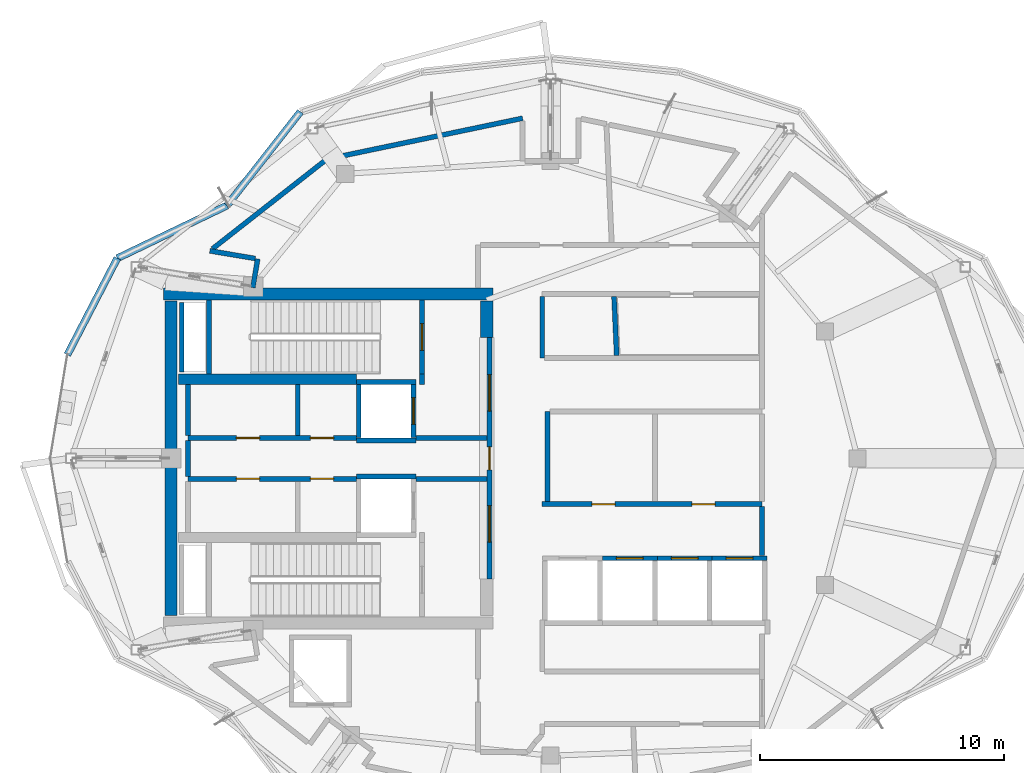
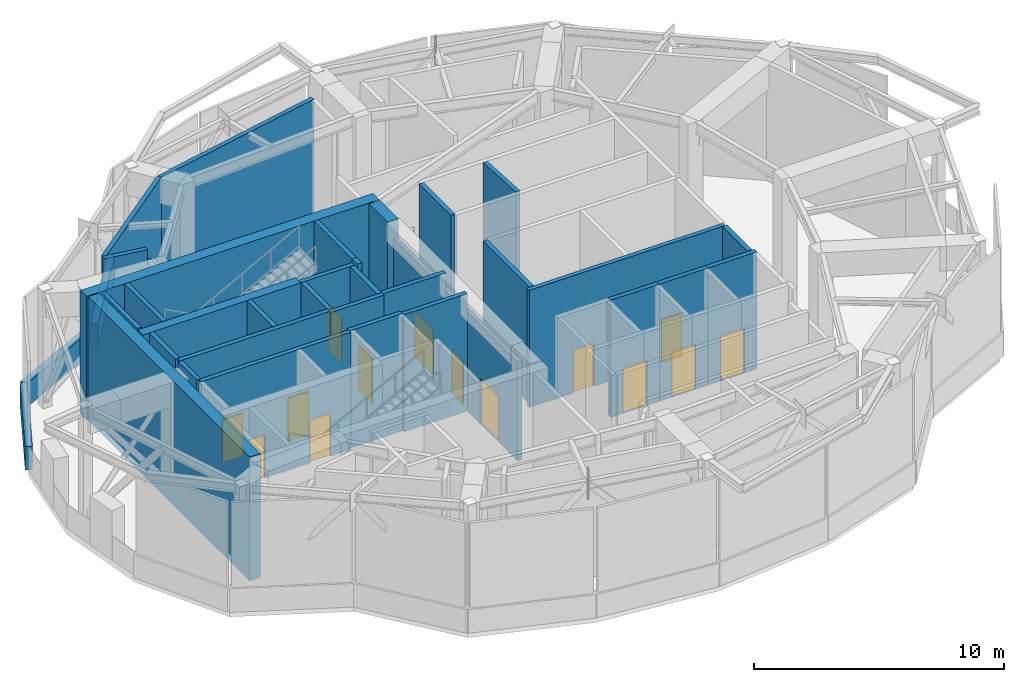
# One storey, part 7 of 9: 36 walls, 14 doors, 14 openings.
"""IFC4 building model written with IfcOpenShell, lengths in metres."""

import ifcopenshell
import ifcopenshell.guid

model = None  # the IFC model being written
_history = None  # IfcOwnerHistory: only IFC2X3 demands one
_inside = {}  # id of a spatial element -> (the spatial element, [elements in it])
_under = {}  # id of a project, library or spatial element -> (it, [spatial elements below it])
_declared = {}  # id of a project -> (the project, [libraries it declares])
_typed = {}  # id of a type object -> (the type object, [elements of that type])
_made_of = {}  # id of a material, layer set ... -> (it, [elements and type objects made of it])


def new_model(schema):
    """Start an empty IFC model of exactly this schema.

    Asked for "IFC4X3", IfcOpenShell would pick the latest addendum, in which some entities
    have other attributes; the version numbers below select the first issue.
    IFC2X3 requires an IfcOwnerHistory on every rooted entity: one is made here for all.
    """
    global model, _history
    if schema == "IFC4X3":
        model = ifcopenshell.file(schema_version=(4, 3, 0, 0))
    else:
        model = ifcopenshell.file(schema=schema)
    _inside.clear()
    _under.clear()
    _declared.clear()
    _typed.clear()
    _made_of.clear()
    _history = None
    if model.schema == "IFC2X3":
        org = make("IfcOrganization", Name="unknown")
        user = make(
            "IfcPersonAndOrganization",
            ThePerson=make("IfcPerson", FamilyName="unknown"),
            TheOrganization=org,
        )
        app = make(
            "IfcApplication",
            ApplicationDeveloper=org,
            Version="unknown",
            ApplicationFullName="unknown",
            ApplicationIdentifier="unknown",
        )
        _history = make(
            "IfcOwnerHistory",
            OwningUser=user,
            OwningApplication=app,
            ChangeAction="ADDED",
            CreationDate=0,
        )
    return model


def make(cls, **values):
    """One entity of the class cls with the attributes given. An attribute that is None is left unset."""
    return model.create_entity(
        cls, **{name: value for name, value in values.items() if value is not None}
    )


def rooted(cls, **values):
    """An entity with a GlobalId (a new one), such as an element, a storey or a relation."""
    return make(cls, GlobalId=ifcopenshell.guid.new(), OwnerHistory=_history, **values)


def si_unit(unit_type, name, prefix=None):
    """IfcSIUnit, for example si_unit("LENGTHUNIT", "METRE", prefix="MILLI")."""
    return make("IfcSIUnit", UnitType=unit_type, Prefix=prefix, Name=name)


def assignment(units):
    """IfcUnitAssignment: the units of a project."""
    return None if units is None else make("IfcUnitAssignment", Units=units)


def point(xyz):
    """IfcCartesianPoint."""
    return None if xyz is None else make("IfcCartesianPoint", Coordinates=xyz)


def direction(xyz):
    """IfcDirection."""
    return None if xyz is None else make("IfcDirection", DirectionRatios=xyz)


def frame(location, z_axis=None, x_axis=None):
    """IfcAxis2Placement3D, a coordinate frame: its origin and axes. An axis left out is left unset."""
    return make(
        "IfcAxis2Placement3D",
        Location=point(location),
        Axis=direction(z_axis),
        RefDirection=direction(x_axis),
    )


def frame_2d(location, x_axis=None):
    """IfcAxis2Placement2D, a coordinate frame in the plane: its origin and x axis."""
    return make(
        "IfcAxis2Placement2D", Location=point(location), RefDirection=direction(x_axis)
    )


def origin():
    """The frame at (0, 0, 0) with its axes left unset."""
    return frame((0.0, 0.0, 0.0))


def place(relative_to, where):
    """IfcLocalPlacement: puts the frame where relative to a parent placement (None: the world)."""
    return make(
        "IfcLocalPlacement", PlacementRelTo=relative_to, RelativePlacement=where
    )


def context(
    kind, dimensions, precision=None, world=None, true_north=None, identifier=None
):
    """IfcGeometricRepresentationContext, for example the 3D "Model" context."""
    return make(
        "IfcGeometricRepresentationContext",
        ContextIdentifier=identifier,
        ContextType=kind,
        CoordinateSpaceDimension=dimensions,
        Precision=precision,
        WorldCoordinateSystem=world,
        TrueNorth=true_north,
    )


def subcontext(parent, identifier, kind, view, scale=None):
    """IfcGeometricRepresentationSubContext, for example "Body" below "Model"."""
    return make(
        "IfcGeometricRepresentationSubContext",
        ContextIdentifier=identifier,
        ContextType=kind,
        ParentContext=parent,
        TargetScale=scale,
        TargetView=view,
    )


def project(units=None, contexts=None):
    """IfcProject with its units and contexts."""
    return rooted(
        "IfcProject",
        Name="project",
        RepresentationContexts=contexts,
        UnitsInContext=assignment(units),
    )


def spatial(cls, under=None, at=None, **own):
    """A site, building, storey or space (cls), placed at a placement, below another one or the project."""
    s = rooted(cls, ObjectPlacement=at, **own)
    if under is not None:
        _under.setdefault(under.id(), (under, []))[1].append(s)
    return s


def profile(cls, at=None, kind="AREA", **sizes):
    """A parametric profile (cls). Its sizes go by their IFC names, for example OverallWidth=200.0."""
    return make(cls, ProfileType=kind, Position=at, **sizes)


def rectangle(**sizes):
    """IfcRectangleProfileDef."""
    return profile("IfcRectangleProfileDef", **sizes)


def extrude(swept, where, along, depth):
    """IfcExtrudedAreaSolid: the profile swept, set in the frame where, extruded along a direction by depth."""
    return make(
        "IfcExtrudedAreaSolid",
        SweptArea=swept,
        Position=where,
        ExtrudedDirection=direction(along),
        Depth=depth,
    )


def shape(context_of_items, identifier, shape_type, items):
    """IfcShapeRepresentation: the items that make up one representation, for example the "Body"."""
    return make(
        "IfcShapeRepresentation",
        ContextOfItems=context_of_items,
        RepresentationIdentifier=identifier,
        RepresentationType=shape_type,
        Items=items,
    )


def material(Name=None, Category=None):
    """IfcMaterial."""
    return make("IfcMaterial", Name=Name, Category=Category)


def layer(
    of_material, thickness, ventilated=None, Name=None, Category=None, Priority=None
):
    """IfcMaterialLayer: one layer of a wall or slab, of a material (None: an air gap)."""
    return make(
        "IfcMaterialLayer",
        Material=of_material,
        LayerThickness=thickness,
        IsVentilated=ventilated,
        Name=Name,
        Category=Category,
        Priority=Priority,
    )


def layer_set(layers, Name=None):
    """IfcMaterialLayerSet."""
    return make("IfcMaterialLayerSet", MaterialLayers=layers, LayerSetName=Name)


def made_of(thing, what):
    """Note that an element or type object is made of a material, layer set ...; save() writes the relation."""
    if what is not None:
        _made_of.setdefault(what.id(), (what, []))[1].append(thing)
    return thing


def type_object(cls, material=None, **own):
    """A type object (cls), such as IfcWallType, which elements share."""
    return made_of(rooted(cls, **own), material)


def element(
    cls,
    number,
    at=None,
    inside=None,
    cuts=None,
    type_object=None,
    material=None,
    context=None,
    identifier="Body",
    shape_type=None,
    held_by="IfcProductDefinitionShape",
    body=None,
    shapes=None,
    **own,
):
    """One element of the class cls, such as IfcWall. Its Tag is "e" and its number.

    at: its placement. inside: the storey or other place that contains it. cuts: it is an
    opening in that element (IfcRelVoidsElement). A single representation is given by context,
    identifier, shape_type and body (its items); several are given by shapes. held_by: the class
    of the entity that holds the representations. save() writes the other relations.
    """
    e = rooted(cls, Tag="e%d" % number, ObjectPlacement=at, **own)
    if body is not None:
        shapes = [shape(context, identifier, shape_type, body)]
    if shapes is not None:
        e.Representation = make(held_by, Representations=shapes)
    if inside is not None:
        _inside.setdefault(inside.id(), (inside, []))[1].append(e)
    if cuts is not None:
        rooted(
            "IfcRelVoidsElement", RelatingBuildingElement=cuts, RelatedOpeningElement=e
        )
    if type_object is not None:
        _typed.setdefault(type_object.id(), (type_object, []))[1].append(e)
    return made_of(e, material)


def fill(opening, filler):
    """IfcRelFillsElement: the door or window that sits in an opening."""
    return rooted(
        "IfcRelFillsElement",
        RelatingOpeningElement=opening,
        RelatedBuildingElement=filler,
    )


def aggregate(whole, parts):
    """IfcRelAggregates: a whole, such as a stair, and the parts it consists of."""
    return rooted("IfcRelAggregates", RelatingObject=whole, RelatedObjects=parts)


def save(model, path):
    """Write the relations noted so far, then the file.

    IfcRelAggregates (storeys below a building ...), IfcRelContainedInSpatialStructure (elements
    in a storey), IfcRelDefinesByType, IfcRelAssociatesMaterial and IfcRelDeclares: one each for
    every whole, place, type object, material and project.
    """
    for whole, parts in _under.values():
        aggregate(whole, parts)
    for where, things in _inside.values():
        rooted(
            "IfcRelContainedInSpatialStructure",
            RelatedElements=things,
            RelatingStructure=where,
        )
    for kind, things in _typed.values():
        rooted("IfcRelDefinesByType", RelatedObjects=things, RelatingType=kind)
    for what, things in _made_of.values():
        rooted("IfcRelAssociatesMaterial", RelatedObjects=things, RelatingMaterial=what)
    for by, libraries in _declared.values():
        rooted("IfcRelDeclares", RelatingContext=by, RelatedDefinitions=libraries)
    model.write(path)


model = new_model("IFC4")

# Units and contexts
model_context = context("Model", 3, precision=1e-05, world=origin(), true_north=direction((0.0, 1.0)))
body_context = subcontext(model_context, "Body", "Model", "MODEL_VIEW")
ifc_project = project(units=[si_unit("LENGTHUNIT", "METRE"), si_unit("AREAUNIT", "SQUARE_METRE"), si_unit("VOLUMEUNIT", "CUBIC_METRE"), si_unit("PLANEANGLEUNIT", "RADIAN"), si_unit("MASSUNIT", "GRAM", prefix="KILO")], contexts=[model_context])

# Site, building, storey
site_placement = place(None, origin())
site = spatial("IfcSite", under=ifc_project, at=site_placement, CompositionType="ELEMENT")
building_placement = place(site_placement, origin())
building = spatial("IfcBuilding", under=site, at=building_placement, Name="Kolvaren Gate Tower and Convention Centre", CompositionType="ELEMENT")
storey_placement = place(building_placement, frame((0.0, 0.0, 275.60009765625)))
storey = spatial("IfcBuildingStorey", under=building, at=storey_placement, Name="L75", CompositionType="ELEMENT", Elevation=275.60009765625)

# Walls
ifc_material_1 = material(Name="Autoclaved Aerated Masonry Blockwork Class 4 (4.0 MPa)", Category="masonry")
ifc_layer_1 = layer(ifc_material_1, 0.199951171875)
ifc_layer_set_1 = layer_set([ifc_layer_1], Name="Autoclaved Aerated Masonry Blockwork Class 4 (4.0 MPa)")
wall_type_1 = type_object("IfcWallType", Name="ARCH-WL-SHAFT-200", PredefinedType="SOLIDWALL", material=ifc_layer_set_1)
for number, where, z_axis, x_axis, name in (
    (1, (22.14990234375, 30.139892578125, 0.0), (0.0, 0.0, 1.0), (1.0, 0.0, 0.0), "Elevator FF-01 L75 Fire Shaft Wall N"),
    (2, (22.14990234375, 27.739990234375, 0.0), (0.0, 0.0, 1.0), (1.0, 0.0, 0.0), "Elevator FF-01 L75 Fire Shaft Wall S"),
):
    element("IfcWall", number, at=place(storey_placement, frame(where, z_axis=z_axis, x_axis=x_axis)), inside=storey, type_object=wall_type_1, Name=name, PredefinedType="SOLIDWALL", context=body_context, shape_type="SweptSolid", body=[
        extrude(rectangle(XDim=2.4501953125, YDim=0.199951171875, at=frame_2d((1.22509765625, 0.0))), origin(), (0.0, 0.0, 1.0), 5.719970703125),
    ])
wall_1_placement = place(storey_placement, frame((22.25, 27.85009765625, 0.0), z_axis=(0.0, 0.0, 1.0), x_axis=(0.0, 1.0, 0.0)))
element("IfcWall", 3, at=wall_1_placement, inside=storey, type_object=wall_type_1, Name="Elevator FF-01 L75 Fire Shaft Wall W", PredefinedType="SOLIDWALL", context=body_context, shape_type="SweptSolid", body=[
    extrude(rectangle(XDim=2.179931640625, YDim=0.199951171875, at=frame_2d((1.08984375, 0.0))), origin(), (0.0, 0.0, 1.0), 5.719970703125),
])

# Wall, opening, door
wall_2_placement = place(storey_placement, frame((24.5, 27.85009765625, 0.0), z_axis=(0.0, 0.0, 1.0), x_axis=(0.0, 1.0, 0.0)))
wall_2 = element("IfcWall", 4, at=wall_2_placement, inside=storey, type_object=wall_type_1, Name="Elevator FF-01 L75 Fire Shaft Wall E", PredefinedType="SOLIDWALL", context=body_context, shape_type="SweptSolid", body=[
    extrude(rectangle(XDim=2.179931640625, YDim=0.199951171875, at=frame_2d((1.08984375, 0.0))), origin(), (0.0, 0.0, 1.0), 5.719970703125),
])
opening_1_placement = place(wall_2_placement, frame((0.5400390625, 0.0, 0.0)))
opening_1 = element("IfcOpeningElement", 5, at=opening_1_placement, cuts=wall_2, Name="Opening LD", PredefinedType="OPENING", context=body_context, shape_type="SweptSolid", body=[
    extrude(rectangle(XDim=1.10009765625, YDim=2.199951171875, at=frame_2d((0.550048828125, 1.10009765625))), frame((0.0, 0.10986328125, 0.0), z_axis=(0.0, -1.0, 0.0), x_axis=(1.0, 0.0, 0.0)), (0.0, 0.0, 1.0), 0.219970703125),
])
ifc_material_2 = material(Name="Brushed Stainless Steel Grade 316L", Category="steel")
door_type_1 = type_object("IfcDoorType", Name="ARCH-DR-LIFT-1100", OperationType="SLIDING_TO_LEFT", PredefinedType="DOOR", material=ifc_material_2)
door_1_placement = place(opening_1_placement, origin())
door_1 = element("IfcDoor", 6, at=door_1_placement, inside=storey, type_object=door_type_1, Name="Elevator FF-01 L75 Sliding Landing Door", OperationType="SLIDING_TO_LEFT", OverallHeight=2.199951171875, OverallWidth=1.10009765625, PredefinedType="DOOR", context=body_context, shape_type="SweptSolid", body=[
    extrude(rectangle(XDim=1.10009765625, YDim=2.199951171875, at=frame_2d((0.550048828125, 1.10009765625))), frame((0.0, 0.02490234375, 0.0), z_axis=(0.0, -1.0, 0.0), x_axis=(1.0, 0.0, 0.0)), (0.0, 0.0, 1.0), 0.050048828125),
])
fill(opening_1, door_1)

# Wall
wall_3_placement = place(storey_placement, frame((22.14990234375, 26.260009765625, 0.0), z_axis=(0.0, 0.0, 1.0), x_axis=(1.0, 0.0, 0.0)))
element("IfcWall", 7, at=wall_3_placement, inside=storey, type_object=wall_type_1, Name="Elevator FF-02 L75 Fire Shaft Wall N", PredefinedType="SOLIDWALL", context=body_context, shape_type="SweptSolid", body=[
    extrude(rectangle(XDim=2.4501953125, YDim=0.199951171875, at=frame_2d((1.22509765625, 0.0))), origin(), (0.0, 0.0, 1.0), 5.719970703125),
])

# Wall, opening, door
wall_4_placement = place(storey_placement, frame((32.25, 22.89990234375, 0.0), z_axis=(0.0, 0.0, 1.0), x_axis=(1.0, 0.0, 0.0)))
wall_4 = element("IfcWall", 8, at=wall_4_placement, inside=storey, type_object=wall_type_1, Name="Elevator PL-10 L75 Fire Shaft Wall N", PredefinedType="SOLIDWALL", context=body_context, shape_type="SweptSolid", body=[
    extrude(rectangle(XDim=2.25, YDim=0.199951171875, at=frame_2d((1.125, 0.0))), origin(), (0.0, 0.0, 1.0), 5.719970703125),
])
opening_2_placement = place(wall_4_placement, frame((0.574951171875, 0.0, 0.0)))
opening_2 = element("IfcOpeningElement", 9, at=opening_2_placement, cuts=wall_4, Name="Opening LD", PredefinedType="OPENING", context=body_context, shape_type="SweptSolid", body=[
    extrude(rectangle(XDim=1.10009765625, YDim=2.199951171875, at=frame_2d((0.550048828125, 1.10009765625))), frame((0.0, 0.10986328125, 0.0), z_axis=(0.0, -1.0, 0.0), x_axis=(1.0, 0.0, 0.0)), (0.0, 0.0, 1.0), 0.219970703125),
])
door_2_placement = place(opening_2_placement, origin())
door_2 = element("IfcDoor", 10, at=door_2_placement, inside=storey, type_object=door_type_1, Name="Elevator PL-10 L75 Sliding Landing Door", OperationType="SLIDING_TO_LEFT", OverallHeight=2.199951171875, OverallWidth=1.10009765625, PredefinedType="DOOR", context=body_context, shape_type="SweptSolid", body=[
    extrude(rectangle(XDim=1.10009765625, YDim=2.199951171875, at=frame_2d((0.550048828125, 1.10009765625))), frame((0.0, 0.02490234375, 0.0), z_axis=(0.0, -1.0, 0.0), x_axis=(1.0, 0.0, 0.0)), (0.0, 0.0, 1.0), 0.050048828125),
])
fill(opening_2, door_2)

wall_5_placement = place(storey_placement, frame((34.5, 22.89990234375, 0.0), z_axis=(0.0, 0.0, 1.0), x_axis=(1.0, 0.0, 0.0)))
wall_5 = element("IfcWall", 11, at=wall_5_placement, inside=storey, type_object=wall_type_1, Name="Elevator PL-11 L75 Fire Shaft Wall N", PredefinedType="SOLIDWALL", context=body_context, shape_type="SweptSolid", body=[
    extrude(rectangle(XDim=2.25, YDim=0.199951171875, at=frame_2d((1.125, 0.0))), origin(), (0.0, 0.0, 1.0), 5.719970703125),
])
opening_3_placement = place(wall_5_placement, frame((0.574951171875, 0.0, 0.0)))
opening_3 = element("IfcOpeningElement", 12, at=opening_3_placement, cuts=wall_5, Name="Opening LD", PredefinedType="OPENING", context=body_context, shape_type="SweptSolid", body=[
    extrude(rectangle(XDim=1.10009765625, YDim=2.199951171875, at=frame_2d((0.550048828125, 1.10009765625))), frame((0.0, 0.10986328125, 0.0), z_axis=(0.0, -1.0, 0.0), x_axis=(1.0, 0.0, 0.0)), (0.0, 0.0, 1.0), 0.219970703125),
])
door_3_placement = place(opening_3_placement, origin())
door_3 = element("IfcDoor", 13, at=door_3_placement, inside=storey, type_object=door_type_1, Name="Elevator PL-11 L75 Sliding Landing Door", OperationType="SLIDING_TO_LEFT", OverallHeight=2.199951171875, OverallWidth=1.10009765625, PredefinedType="DOOR", context=body_context, shape_type="SweptSolid", body=[
    extrude(rectangle(XDim=1.10009765625, YDim=2.199951171875, at=frame_2d((0.550048828125, 1.10009765625))), frame((0.0, 0.02490234375, 0.0), z_axis=(0.0, -1.0, 0.0), x_axis=(1.0, 0.0, 0.0)), (0.0, 0.0, 1.0), 0.050048828125),
])
fill(opening_3, door_3)

wall_6_placement = place(storey_placement, frame((36.75, 22.89990234375, 0.0), z_axis=(0.0, 0.0, 1.0), x_axis=(1.0, 0.0, 0.0)))
wall_6 = element("IfcWall", 14, at=wall_6_placement, inside=storey, type_object=wall_type_1, Name="Elevator PL-12 L75 Fire Shaft Wall N", PredefinedType="SOLIDWALL", context=body_context, shape_type="SweptSolid", body=[
    extrude(rectangle(XDim=2.25, YDim=0.199951171875, at=frame_2d((1.125, 0.0))), origin(), (0.0, 0.0, 1.0), 5.719970703125),
])
opening_4_placement = place(wall_6_placement, frame((0.574951171875, 0.0, 0.0)))
opening_4 = element("IfcOpeningElement", 15, at=opening_4_placement, cuts=wall_6, Name="Opening LD", PredefinedType="OPENING", context=body_context, shape_type="SweptSolid", body=[
    extrude(rectangle(XDim=1.10009765625, YDim=2.199951171875, at=frame_2d((0.550048828125, 1.10009765625))), frame((0.0, 0.10986328125, 0.0), z_axis=(0.0, -1.0, 0.0), x_axis=(1.0, 0.0, 0.0)), (0.0, 0.0, 1.0), 0.219970703125),
])
door_4_placement = place(opening_4_placement, origin())
door_4 = element("IfcDoor", 16, at=door_4_placement, inside=storey, type_object=door_type_1, Name="Elevator PL-12 L75 Sliding Landing Door", OperationType="SLIDING_TO_LEFT", OverallHeight=2.199951171875, OverallWidth=1.10009765625, PredefinedType="DOOR", context=body_context, shape_type="SweptSolid", body=[
    extrude(rectangle(XDim=1.10009765625, YDim=2.199951171875, at=frame_2d((0.550048828125, 1.10009765625))), frame((0.0, 0.02490234375, 0.0), z_axis=(0.0, -1.0, 0.0), x_axis=(1.0, 0.0, 0.0)), (0.0, 0.0, 1.0), 0.050048828125),
])
fill(opening_4, door_4)

# Walls
wall_7_placement = place(storey_placement, frame((14.989990234375, 30.550048828125, 0.0), z_axis=(0.0, 0.0, 1.0), x_axis=(0.0, 1.0, 0.0)))
element("IfcWall", 17, at=wall_7_placement, inside=storey, type_object=wall_type_1, Name="Vertical Shaft HVR L75 EI-120 Enclosure Wall W", PredefinedType="SOLIDWALL", context=body_context, shape_type="SweptSolid", body=[
    extrude(rectangle(XDim=2.849853515625, YDim=0.199951171875, at=frame_2d((1.4248046875, 0.0))), origin(), (0.0, 0.0, 1.0), 5.719970703125),
])
wall_8_placement = place(storey_placement, frame((24.85009765625, 30.0400390625, 0.0), z_axis=(0.0, 0.0, 1.0), x_axis=(0.0, 1.0, 0.0)))
element("IfcWall", 18, at=wall_8_placement, inside=storey, type_object=wall_type_1, Name="Interior Partition WL-L75-INT-002", PredefinedType="SOLIDWALL", context=body_context, shape_type="SweptSolid", body=[
    extrude(rectangle(XDim=0.419921875, YDim=0.199951171875, at=frame_2d((0.2099609375, 0.0))), origin(), (0.0, 0.0, 1.0), 5.719970703125),
])

# Wall, openings, doors
wall_9_placement = place(storey_placement, frame((27.6201171875, 22.050048828125, 0.0), z_axis=(0.0, 0.0, 1.0), x_axis=(0.0, 1.0, 0.0)))
wall_9 = element("IfcWall", 19, at=wall_9_placement, inside=storey, type_object=wall_type_1, Name="Interior Partition WL-L75-INT-003", PredefinedType="SOLIDWALL", context=body_context, shape_type="SweptSolid", body=[
    extrude(rectangle(XDim=9.89990234375, YDim=0.199951171875, at=frame_2d((4.949951171875, 0.0))), origin(), (0.0, 0.0, 1.0), 4.81201171875),
])
opening_5_placement = place(wall_9_placement, frame((4.47509765625, 0.0, 0.0)))
opening_5 = element("IfcOpeningElement", 20, at=opening_5_placement, cuts=wall_9, Name="Opening DR-01", PredefinedType="OPENING", context=body_context, shape_type="SweptSolid", body=[
    extrude(rectangle(XDim=0.949951171875, YDim=2.10009765625, at=frame_2d((0.47509765625, 1.050048828125))), frame((0.0, 0.10986328125, 0.0), z_axis=(0.0, -1.0, 0.0), x_axis=(1.0, 0.0, 0.0)), (0.0, 0.0, 1.0), 0.219970703125),
])
opening_6_placement = place(wall_9_placement, frame((6.889892578125, 0.0, 0.0)))
opening_6 = element("IfcOpeningElement", 21, at=opening_6_placement, cuts=wall_9, Name="Opening DL-01", PredefinedType="OPENING", context=body_context, shape_type="SweptSolid", body=[
    extrude(rectangle(XDim=1.5, YDim=2.199951171875, at=frame_2d((0.75, 1.10009765625))), frame((0.0, 0.10986328125, 0.0), z_axis=(0.0, -1.0, 0.0), x_axis=(1.0, 0.0, 0.0)), (0.0, 0.0, 1.0), 0.219970703125),
])
opening_7_placement = place(wall_9_placement, frame((1.510009765625, 0.0, 0.0)))
opening_7 = element("IfcOpeningElement", 22, at=opening_7_placement, cuts=wall_9, Name="Opening DL-01", PredefinedType="OPENING", context=body_context, shape_type="SweptSolid", body=[
    extrude(rectangle(XDim=1.5, YDim=2.199951171875, at=frame_2d((0.75, 1.10009765625))), frame((0.0, 0.10986328125, 0.0), z_axis=(0.0, -1.0, 0.0), x_axis=(1.0, 0.0, 0.0)), (0.0, 0.0, 1.0), 0.219970703125),
])
ifc_material_3 = material(Name="Painted Architectural Steelwork ASTM A500 Grade C 345 MPa", Category="steel")
door_type_2 = type_object("IfcDoorType", Name="ARCH-DR-LOBBY-1500", OperationType="DOUBLE_DOOR_SINGLE_SWING", PredefinedType="DOOR", material=ifc_material_3)
door_5_placement = place(opening_6_placement, origin())
door_5 = element("IfcDoor", 23, at=door_5_placement, inside=storey, type_object=door_type_2, Name="North Firefighting Stair and Lift Lobby Door", OperationType="DOUBLE_DOOR_SINGLE_SWING", OverallHeight=2.199951171875, OverallWidth=1.5, PredefinedType="DOOR", context=body_context, shape_type="SweptSolid", body=[
    extrude(rectangle(XDim=1.5, YDim=2.199951171875, at=frame_2d((0.75, 1.10009765625))), frame((0.0, 0.02490234375, 0.0), z_axis=(0.0, -1.0, 0.0), x_axis=(1.0, 0.0, 0.0)), (0.0, 0.0, 1.0), 0.050048828125),
])
fill(opening_6, door_5)
door_6_placement = place(opening_7_placement, origin())
door_6 = element("IfcDoor", 24, at=door_6_placement, inside=storey, type_object=door_type_2, Name="South Firefighting Stair and Lift Lobby Door", OperationType="DOUBLE_DOOR_SINGLE_SWING", OverallHeight=2.199951171875, OverallWidth=1.5, PredefinedType="DOOR", context=body_context, shape_type="SweptSolid", body=[
    extrude(rectangle(XDim=1.5, YDim=2.199951171875, at=frame_2d((0.75, 1.10009765625))), frame((0.0, 0.02490234375, 0.0), z_axis=(0.0, -1.0, 0.0), x_axis=(1.0, 0.0, 0.0)), (0.0, 0.0, 1.0), 0.050048828125),
])
fill(opening_7, door_6)
door_type_3 = type_object("IfcDoorType", Name="ARCH-DR-RISER-950", OperationType="SINGLE_SWING_RIGHT", PredefinedType="DOOR", material=ifc_material_3)
door_7_placement = place(opening_5_placement, origin())
door_7 = element("IfcDoor", 25, at=door_7_placement, inside=storey, type_object=door_type_3, Name="Central MEP Service Corridor Door", OperationType="SINGLE_SWING_RIGHT", OverallHeight=2.10009765625, OverallWidth=0.949951171875, PredefinedType="DOOR", context=body_context, shape_type="SweptSolid", body=[
    extrude(rectangle(XDim=0.949951171875, YDim=2.10009765625, at=frame_2d((0.47509765625, 1.050048828125))), frame((0.0, 0.02490234375, 0.0), z_axis=(0.0, -1.0, 0.0), x_axis=(1.0, 0.0, 0.0)), (0.0, 0.0, 1.0), 0.050048828125),
])
fill(opening_5, door_7)

wall_10_placement = place(storey_placement, frame((15.25, 27.840087890625, 0.0), z_axis=(0.0, 0.0, 1.0), x_axis=(1.0, 0.0, 0.0)))
wall_10 = element("IfcWall", 26, at=wall_10_placement, inside=storey, type_object=wall_type_1, Name="Interior Partition WL-L75-INT-004", PredefinedType="SOLIDWALL", context=body_context, shape_type="SweptSolid", body=[
    extrude(rectangle(XDim=6.89990234375, YDim=0.199951171875, at=frame_2d((3.449951171875, 0.0))), origin(), (0.0, 0.0, 1.0), 5.719970703125),
])
opening_8_placement = place(wall_10_placement, frame((5.02001953125, 0.0, 0.0)))
opening_8 = element("IfcOpeningElement", 27, at=opening_8_placement, cuts=wall_10, Name="Opening DR-01", PredefinedType="OPENING", context=body_context, shape_type="SweptSolid", body=[
    extrude(rectangle(XDim=0.949951171875, YDim=2.10009765625, at=frame_2d((0.47509765625, 1.050048828125))), frame((0.0, 0.10986328125, 0.0), z_axis=(0.0, -1.0, 0.0), x_axis=(1.0, 0.0, 0.0)), (0.0, 0.0, 1.0), 0.219970703125),
])
opening_9_placement = place(wall_10_placement, frame((1.97998046875, 0.0, 0.0)))
opening_9 = element("IfcOpeningElement", 28, at=opening_9_placement, cuts=wall_10, Name="Opening DR-01", PredefinedType="OPENING", context=body_context, shape_type="SweptSolid", body=[
    extrude(rectangle(XDim=0.949951171875, YDim=2.10009765625, at=frame_2d((0.47509765625, 1.050048828125))), frame((0.0, 0.10986328125, 0.0), z_axis=(0.0, -1.0, 0.0), x_axis=(1.0, 0.0, 0.0)), (0.0, 0.0, 1.0), 0.219970703125),
])
door_8_placement = place(opening_8_placement, origin())
door_8 = element("IfcDoor", 29, at=door_8_placement, inside=storey, type_object=door_type_3, Name="Electrical Switchgear Closet Door", OperationType="SINGLE_SWING_LEFT", OverallHeight=2.10009765625, OverallWidth=0.949951171875, PredefinedType="DOOR", context=body_context, shape_type="SweptSolid", body=[
    extrude(rectangle(XDim=0.949951171875, YDim=2.10009765625, at=frame_2d((0.47509765625, 1.050048828125))), frame((0.0, 0.02490234375, 0.0), z_axis=(0.0, -1.0, 0.0), x_axis=(1.0, 0.0, 0.0)), (0.0, 0.0, 1.0), 0.050048828125),
])
fill(opening_8, door_8)
door_9_placement = place(opening_9_placement, origin())
door_9 = element("IfcDoor", 30, at=door_9_placement, inside=storey, type_object=door_type_3, Name="Telecom Distribution Closet Door", OperationType="SINGLE_SWING_LEFT", OverallHeight=2.10009765625, OverallWidth=0.949951171875, PredefinedType="DOOR", context=body_context, shape_type="SweptSolid", body=[
    extrude(rectangle(XDim=0.949951171875, YDim=2.10009765625, at=frame_2d((0.47509765625, 1.050048828125))), frame((0.0, 0.02490234375, 0.0), z_axis=(0.0, -1.0, 0.0), x_axis=(1.0, 0.0, 0.0)), (0.0, 0.0, 1.0), 0.050048828125),
])
fill(opening_9, door_9)

# Wall
wall_11_placement = place(storey_placement, frame((24.60009765625, 27.840087890625, 0.0), z_axis=(0.0, 0.0, 1.0), x_axis=(1.0, 0.0, 0.0)))
element("IfcWall", 31, at=wall_11_placement, inside=storey, type_object=wall_type_1, Name="Interior Partition WL-L75-INT-004 (2)", PredefinedType="SOLIDWALL", context=body_context, shape_type="SweptSolid", body=[
    extrude(rectangle(XDim=2.91796875, YDim=0.199951171875, at=frame_2d((1.458984375, 0.0))), origin(), (0.0, 0.0, 1.0), 5.719970703125),
])

# Wall, openings, doors
wall_12_placement = place(storey_placement, frame((15.25, 26.159912109375, 0.0), z_axis=(0.0, 0.0, 1.0), x_axis=(1.0, 0.0, 0.0)))
wall_12 = element("IfcWall", 32, at=wall_12_placement, inside=storey, type_object=wall_type_1, Name="Interior Partition WL-L75-INT-005", PredefinedType="SOLIDWALL", context=body_context, shape_type="SweptSolid", body=[
    extrude(rectangle(XDim=6.89990234375, YDim=0.199951171875, at=frame_2d((3.449951171875, 0.0))), origin(), (0.0, 0.0, 1.0), 5.719970703125),
])
opening_10_placement = place(wall_12_placement, frame((5.02001953125, 0.0, 0.0)))
opening_10 = element("IfcOpeningElement", 33, at=opening_10_placement, cuts=wall_12, Name="Opening DR-01", PredefinedType="OPENING", context=body_context, shape_type="SweptSolid", body=[
    extrude(rectangle(XDim=0.949951171875, YDim=2.10009765625, at=frame_2d((0.47509765625, 1.050048828125))), frame((0.0, 0.10986328125, 0.0), z_axis=(0.0, -1.0, 0.0), x_axis=(1.0, 0.0, 0.0)), (0.0, 0.0, 1.0), 0.219970703125),
])
opening_11_placement = place(wall_12_placement, frame((1.97998046875, 0.0, 0.0)))
opening_11 = element("IfcOpeningElement", 34, at=opening_11_placement, cuts=wall_12, Name="Opening DR-01", PredefinedType="OPENING", context=body_context, shape_type="SweptSolid", body=[
    extrude(rectangle(XDim=0.949951171875, YDim=2.10009765625, at=frame_2d((0.47509765625, 1.050048828125))), frame((0.0, 0.10986328125, 0.0), z_axis=(0.0, -1.0, 0.0), x_axis=(1.0, 0.0, 0.0)), (0.0, 0.0, 1.0), 0.219970703125),
])
door_10_placement = place(opening_10_placement, origin())
door_10 = element("IfcDoor", 35, at=door_10_placement, inside=storey, type_object=door_type_3, Name="Domestic Water Meter Closet Door", OperationType="SINGLE_SWING_RIGHT", OverallHeight=2.10009765625, OverallWidth=0.949951171875, PredefinedType="DOOR", context=body_context, shape_type="SweptSolid", body=[
    extrude(rectangle(XDim=0.949951171875, YDim=2.10009765625, at=frame_2d((0.47509765625, 1.050048828125))), frame((0.0, 0.02490234375, 0.0), z_axis=(0.0, -1.0, 0.0), x_axis=(1.0, 0.0, 0.0)), (0.0, 0.0, 1.0), 0.050048828125),
])
fill(opening_10, door_10)
door_11_placement = place(opening_11_placement, origin())
door_11 = element("IfcDoor", 36, at=door_11_placement, inside=storey, type_object=door_type_3, Name="Smoke Damper Control Closet Door", OperationType="SINGLE_SWING_RIGHT", OverallHeight=2.10009765625, OverallWidth=0.949951171875, PredefinedType="DOOR", context=body_context, shape_type="SweptSolid", body=[
    extrude(rectangle(XDim=0.949951171875, YDim=2.10009765625, at=frame_2d((0.47509765625, 1.050048828125))), frame((0.0, 0.02490234375, 0.0), z_axis=(0.0, -1.0, 0.0), x_axis=(1.0, 0.0, 0.0)), (0.0, 0.0, 1.0), 0.050048828125),
])
fill(opening_11, door_11)

# Walls
wall_13_placement = place(storey_placement, frame((24.60009765625, 26.159912109375, 0.0), z_axis=(0.0, 0.0, 1.0), x_axis=(1.0, 0.0, 0.0)))
element("IfcWall", 37, at=wall_13_placement, inside=storey, type_object=wall_type_1, Name="Interior Partition WL-L75-INT-005 (2)", PredefinedType="SOLIDWALL", context=body_context, shape_type="SweptSolid", body=[
    extrude(rectangle(XDim=2.91796875, YDim=0.199951171875, at=frame_2d((1.458984375, 0.0))), origin(), (0.0, 0.0, 1.0), 5.719970703125),
])
wall_14_placement = place(storey_placement, frame((15.25, 26.261962890625, 0.0), z_axis=(0.0, 0.0, 1.0), x_axis=(0.0, 1.0, 0.0)))
element("IfcWall", 38, at=wall_14_placement, inside=storey, type_object=wall_type_1, Name="Interior Partition WL-L75-INT-006 (2)", PredefinedType="SOLIDWALL", context=body_context, shape_type="SweptSolid", body=[
    extrude(rectangle(XDim=1.47607421875, YDim=0.199951171875, at=frame_2d((0.738037109375, 0.0))), origin(), (0.0, 0.0, 1.0), 5.719970703125),
])
for number, where, z_axis, x_axis, name in (
    (39, (15.25, 27.94189453125, 0.0), (0.0, 0.0, 1.0), (0.0, 1.0, 0.0), "Interior Partition WL-L75-INT-006 (3)"),
    (40, (19.75, 27.94189453125, 0.0), (0.0, 0.0, 1.0), (0.0, 1.0, 0.0), "Interior Partition WL-L75-INT-008"),
):
    element("IfcWall", number, at=place(storey_placement, frame(where, z_axis=z_axis, x_axis=x_axis)), inside=storey, type_object=wall_type_1, Name=name, PredefinedType="SOLIDWALL", context=body_context, shape_type="SweptSolid", body=[
        extrude(rectangle(XDim=2.09619140625, YDim=0.199951171875, at=frame_2d((1.048095703125, 0.0))), origin(), (0.0, 0.0, 1.0), 5.719970703125),
    ])

# Wall, openings, doors
wall_15_placement = place(storey_placement, frame((29.780029296875, 25.1201171875, 0.0), z_axis=(0.0, 0.0, 1.0), x_axis=(1.0, 0.0, 0.0)))
wall_15 = element("IfcWall", 41, at=wall_15_placement, inside=storey, type_object=wall_type_1, Name="Interior Partition WL-L75-INT-009", PredefinedType="SOLIDWALL", context=body_context, shape_type="SweptSolid", body=[
    extrude(rectangle(XDim=9.02001953125, YDim=0.199951171875, at=frame_2d((4.510009765625, 0.0))), origin(), (0.0, 0.0, 1.0), 5.719970703125),
])
opening_12_placement = place(wall_15_placement, frame((2.0400390625, 0.0, 0.0)))
opening_12 = element("IfcOpeningElement", 42, at=opening_12_placement, cuts=wall_15, Name="Opening DR-01", PredefinedType="OPENING", context=body_context, shape_type="SweptSolid", body=[
    extrude(rectangle(XDim=0.949951171875, YDim=2.10009765625, at=frame_2d((0.47509765625, 1.050048828125))), frame((0.0, 0.10986328125, 0.0), z_axis=(0.0, -1.0, 0.0), x_axis=(1.0, 0.0, 0.0)), (0.0, 0.0, 1.0), 0.219970703125),
])
opening_13_placement = place(wall_15_placement, frame((6.139892578125, 0.0, 0.0)))
opening_13 = element("IfcOpeningElement", 43, at=opening_13_placement, cuts=wall_15, Name="Opening DR-01", PredefinedType="OPENING", context=body_context, shape_type="SweptSolid", body=[
    extrude(rectangle(XDim=0.949951171875, YDim=2.10009765625, at=frame_2d((0.47509765625, 1.050048828125))), frame((0.0, 0.10986328125, 0.0), z_axis=(0.0, -1.0, 0.0), x_axis=(1.0, 0.0, 0.0)), (0.0, 0.0, 1.0), 0.219970703125),
])
door_12_placement = place(opening_12_placement, origin())
door_12 = element("IfcDoor", 44, at=door_12_placement, inside=storey, type_object=door_type_3, Name="Mechanical Floor Staff Washroom Door", OperationType="SINGLE_SWING_LEFT", OverallHeight=2.10009765625, OverallWidth=0.949951171875, PredefinedType="DOOR", context=body_context, shape_type="SweptSolid", body=[
    extrude(rectangle(XDim=0.949951171875, YDim=2.10009765625, at=frame_2d((0.47509765625, 1.050048828125))), frame((0.0, 0.02490234375, 0.0), z_axis=(0.0, -1.0, 0.0), x_axis=(1.0, 0.0, 0.0)), (0.0, 0.0, 1.0), 0.050048828125),
])
fill(opening_12, door_12)
door_13_placement = place(opening_13_placement, origin())
door_13 = element("IfcDoor", 45, at=door_13_placement, inside=storey, type_object=door_type_3, Name="Mechanical Floor Spare Parts Store Door", OperationType="SINGLE_SWING_RIGHT", OverallHeight=2.10009765625, OverallWidth=0.949951171875, PredefinedType="DOOR", context=body_context, shape_type="SweptSolid", body=[
    extrude(rectangle(XDim=0.949951171875, YDim=2.10009765625, at=frame_2d((0.47509765625, 1.050048828125))), frame((0.0, 0.02490234375, 0.0), z_axis=(0.0, -1.0, 0.0), x_axis=(1.0, 0.0, 0.0)), (0.0, 0.0, 1.0), 0.050048828125),
])
fill(opening_13, door_13)

# Walls
wall_16_placement = place(storey_placement, frame((30.0, 25.221923828125, 0.0), z_axis=(0.0, 0.0, 1.0), x_axis=(0.0, 1.0, 0.0)))
element("IfcWall", 46, at=wall_16_placement, inside=storey, type_object=wall_type_1, Name="Interior Partition WL-L75-INT-010", PredefinedType="SOLIDWALL", context=body_context, shape_type="SweptSolid", body=[
    extrude(rectangle(XDim=3.697998046875, YDim=0.199951171875, at=frame_2d((1.84912109375, 0.0))), origin(), (0.0, 0.0, 1.0), 5.719970703125),
])
wall_17_placement = place(storey_placement, frame((38.800048828125, 23.02001953125, 0.0), z_axis=(0.0, 0.0, 1.0), x_axis=(0.0, 1.0, 0.0)))
element("IfcWall", 47, at=wall_17_placement, inside=storey, type_object=wall_type_1, Name="Interior Partition WL-L75-INT-014", PredefinedType="SOLIDWALL", context=body_context, shape_type="SweptSolid", body=[
    extrude(rectangle(XDim=1.998046875, YDim=0.199951171875, at=frame_2d((0.9990234375, 0.0))), origin(), (0.0, 0.0, 1.0), 5.719970703125),
])
wall_18_placement = place(storey_placement, frame((29.780029296875, 31.1201171875, 0.0), z_axis=(0.0, 0.0, 1.0), x_axis=(0.0, 1.0, 0.0)))
element("IfcWall", 48, at=wall_18_placement, inside=storey, type_object=wall_type_1, Name="Interior Partition WL-L75-INT-021", PredefinedType="SOLIDWALL", context=body_context, shape_type="SweptSolid", body=[
    extrude(rectangle(XDim=2.52783203125, YDim=0.199951171875, at=frame_2d((1.263916015625, 0.0))), origin(), (0.0, 0.0, 1.0), 5.719970703125),
])
wall_19_placement = place(storey_placement, frame((32.727294921875, 33.64794921875, 0.0), z_axis=(0.0, 0.0, 1.0), x_axis=(0.044436288755, -0.999012220266, 0.0)))
element("IfcWall", 49, at=wall_19_placement, inside=storey, type_object=wall_type_1, Name="Interior Partition WL-L75-INT-043", PredefinedType="SOLIDWALL", context=body_context, shape_type="SweptSolid", body=[
    extrude(rectangle(XDim=2.428466796875, YDim=0.199951171875, at=frame_2d((1.21435546875, 0.0))), origin(), (0.0, 0.0, 1.0), 5.719970703125),
])
wall_20_placement = place(storey_placement, frame((17.90576171875, 34.001953125, 0.0), z_axis=(0.0, 0.0, 1.0), x_axis=(0.166182071534, 0.986095086237, 0.0)))
element("IfcWall", 50, at=wall_20_placement, inside=storey, type_object=wall_type_1, Name="Interior Partition WL-L75-INT-046", PredefinedType="SOLIDWALL", context=body_context, shape_type="SweptSolid", body=[
    extrude(rectangle(XDim=1.19873046875, YDim=0.199951171875, at=frame_2d((0.599365234375, 0.0))), origin(), (0.0, 0.0, 1.0), 5.16796875),
])
wall_21_placement = place(storey_placement, frame((16.14208984375, 35.513916015625, 0.0), z_axis=(0.0, 0.0, 1.0), x_axis=(0.986169386929, -0.165740581285, 0.0)))
element("IfcWall", 51, at=wall_21_placement, inside=storey, type_object=wall_type_1, Name="Interior Partition WL-L75-INT-047", PredefinedType="SOLIDWALL", context=body_context, shape_type="SweptSolid", body=[
    extrude(rectangle(XDim=1.888427734375, YDim=0.199951171875, at=frame_2d((0.9443359375, 0.0))), origin(), (0.0, 0.0, 1.0), 5.719970703125),
])
wall_22_placement = place(storey_placement, frame((16.25048828125, 35.59912109375, 0.0), z_axis=(0.0, 0.0, 1.0), x_axis=(0.786900594147, 0.617079780038, 0.0)))
element("IfcWall", 52, at=wall_22_placement, inside=storey, type_object=wall_type_1, Name="Interior Partition WL-L75-INT-048", PredefinedType="SOLIDWALL", context=body_context, shape_type="SweptSolid", body=[
    extrude(rectangle(XDim=5.9619140625, YDim=0.199951171875, at=frame_2d((2.98095703125, 0.0))), origin(), (0.0, 0.0, 1.0), 5.719970703125),
])
wall_23_placement = place(storey_placement, frame((20.94189453125, 39.278076171875, 0.0), z_axis=(0.0, 0.0, 1.0), x_axis=(0.978873365673, 0.204467439894, 0.0)))
element("IfcWall", 53, at=wall_23_placement, inside=storey, type_object=wall_type_1, Name="Interior Partition WL-L75-INT-049", PredefinedType="SOLIDWALL", context=body_context, shape_type="SweptSolid", body=[
    extrude(rectangle(XDim=8.20654296875, YDim=0.199951171875, at=frame_2d((4.103271484375, 0.0))), origin(), (0.0, 0.0, 1.0), 5.719970703125),
])
ifc_material_4 = material(Name="Piedmont Cream Honed Limestone Cladding", Category="masonry")
ifc_layer_2 = layer(ifc_material_4, 0.300048828125)
ifc_layer_set_2 = layer_set([ifc_layer_2], Name="Piedmont Cream Honed Limestone Cladding")
wall_type_2 = type_object("IfcWallType", Name="ARCH-WL-STONE-300", PredefinedType="SOLIDWALL", material=ifc_layer_set_2)
wall_24_placement = place(storey_placement, frame((16.84619140625, 37.37548828125, 0.0), z_axis=(0.0, 0.0, 1.0), x_axis=(0.616413297421, 0.78742278781, 0.0)))
element("IfcWall", 54, at=wall_24_placement, inside=storey, type_object=wall_type_2, Name="Plant Floor L75 Stone Sill Wall EW-08", PredefinedType="SOLIDWALL", context=body_context, shape_type="SweptSolid", body=[
    extrude(rectangle(XDim=4.88818359375, YDim=0.300048828125, at=frame_2d((2.444091796875, 0.0))), origin(), (0.0, 0.0, 1.0), 1.14990234375),
])
wall_25_placement = place(storey_placement, frame((12.344482421875, 35.21240234375, 0.0), z_axis=(0.0, 0.0, 1.0), x_axis=(0.901346013132, 0.433099716706, 0.0)))
element("IfcWall", 55, at=wall_25_placement, inside=storey, type_object=wall_type_2, Name="Plant Floor L75 Stone Sill Wall EW-09", PredefinedType="SOLIDWALL", context=body_context, shape_type="SweptSolid", body=[
    extrude(rectangle(XDim=4.994384765625, YDim=0.300048828125, at=frame_2d((2.4970703125, 0.0))), origin(), (0.0, 0.0, 1.0), 1.14990234375),
])
wall_26_placement = place(storey_placement, frame((10.29345703125, 31.251220703125, 0.0), z_axis=(0.0, 0.0, 1.0), x_axis=(0.459801070243, 0.888021945564, 0.0)))
element("IfcWall", 56, at=wall_26_placement, inside=storey, type_object=wall_type_2, Name="Plant Floor L75 Stone Sill Wall EW-10", PredefinedType="SOLIDWALL", context=body_context, shape_type="SweptSolid", body=[
    extrude(rectangle(XDim=4.460693359375, YDim=0.300048828125, at=frame_2d((2.23046875, 0.0))), origin(), (0.0, 0.0, 1.0), 1.14990234375),
])
ifc_material_5 = material(Name="Concrete C50/60", Category="concrete")
ifc_layer_3 = layer(ifc_material_5, 0.419921875)
ifc_layer_set_3 = layer_set([ifc_layer_3], Name="Concrete C50/60")
wall_type_3 = type_object("IfcWallType", Name="STR-WL-CONV-420", PredefinedType="SHEAR", material=ifc_layer_set_3)
wall_27_placement = place(storey_placement, frame((14.85009765625, 30.25, -0.320068359375), z_axis=(0.0, 0.0, 1.0), x_axis=(1.0, 0.0, 0.0)))
element("IfcWall", 57, at=wall_27_placement, inside=storey, type_object=wall_type_3, Name="Tower L75 Offset Core Shear Wall WN", PredefinedType="SHEAR", context=body_context, shape_type="SweptSolid", body=[
    extrude(rectangle(XDim=7.2998046875, YDim=0.419921875, at=frame_2d((3.64990234375, 0.0))), origin(), (0.0, 0.0, 1.0), 6.0400390625),
])
ifc_layer_4 = layer(ifc_material_5, 0.5)
ifc_layer_set_4 = layer_set([ifc_layer_4], Name="Concrete C50/60")
wall_type_4 = type_object("IfcWallType", Name="STR-WL-CORE-500", PredefinedType="SHEAR", material=ifc_layer_set_4)
wall_28_placement = place(storey_placement, frame((14.25, 33.75, -0.320068359375), z_axis=(0.0, 0.0, 1.0), x_axis=(1.0, 0.0, 0.0)))
element("IfcWall", 58, at=wall_28_placement, inside=storey, type_object=wall_type_4, Name="Tower L75 Offset Core Shear Wall N", PredefinedType="SHEAR", context=body_context, shape_type="SweptSolid", body=[
    extrude(rectangle(XDim=13.5, YDim=0.5, at=frame_2d((6.75, 0.0))), origin(), (0.0, 0.0, 1.0), 6.0400390625),
])
wall_29_placement = place(storey_placement, frame((14.550048828125, 20.550048828125, -0.320068359375), z_axis=(0.0, 0.0, 1.0), x_axis=(0.0, 1.0, 0.0)))
element("IfcWall", 59, at=wall_29_placement, inside=storey, type_object=wall_type_4, Name="Tower L75 Offset Core Shear Wall W", PredefinedType="SHEAR", context=body_context, shape_type="SweptSolid", body=[
    extrude(rectangle(XDim=12.89990234375, YDim=0.5, at=frame_2d((6.449951171875, 0.0))), origin(), (0.0, 0.0, 1.0), 6.0400390625),
])
wall_30_placement = place(storey_placement, frame((27.5, 31.949951171875, -0.320068359375), z_axis=(0.0, 0.0, 1.0), x_axis=(0.0, 1.0, 0.0)))
element("IfcWall", 60, at=wall_30_placement, inside=storey, type_object=wall_type_4, Name="Tower L75 Offset Core Shear Wall EN", PredefinedType="SHEAR", context=body_context, shape_type="SweptSolid", body=[
    extrude(rectangle(XDim=1.5, YDim=0.5, at=frame_2d((0.75, 0.0))), origin(), (0.0, 0.0, 1.0), 6.0400390625),
])

# Wall, opening, door
ifc_layer_5 = layer(ifc_material_5, 0.199951171875)
ifc_layer_set_5 = layer_set([ifc_layer_5], Name="Concrete C50/60")
wall_type_5 = type_object("IfcWallType", Name="STR-WL-SHAFT-200", PredefinedType="SHEAR", material=ifc_layer_set_5)
wall_31_placement = place(storey_placement, frame((24.85009765625, 30.4599609375, -0.320068359375), z_axis=(0.0, 0.0, 1.0), x_axis=(0.0, 1.0, 0.0)))
wall_31 = element("IfcWall", 61, at=wall_31_placement, inside=storey, type_object=wall_type_5, Name="Tower North Exit Stair ST-T1 L75 Structural Shear Enclosure Wall NEAR", PredefinedType="SHEAR", context=body_context, shape_type="SweptSolid", body=[
    extrude(rectangle(XDim=3.0380859375, YDim=0.199951171875, at=frame_2d((1.51904296875, 0.0))), origin(), (0.0, 0.0, 1.0), 6.0400390625),
])
opening_14_placement = place(wall_31_placement, frame((0.968994140625, 0.0, 0.320068359375)))
opening_14 = element("IfcOpeningElement", 62, at=opening_14_placement, cuts=wall_31, Name="Opening DS-01", PredefinedType="OPENING", context=body_context, shape_type="SweptSolid", body=[
    extrude(rectangle(XDim=1.10009765625, YDim=2.14990234375, at=frame_2d((0.550048828125, 1.074951171875))), frame((0.0, 0.10986328125, 0.0), z_axis=(0.0, -1.0, 0.0), x_axis=(1.0, 0.0, 0.0)), (0.0, 0.0, 1.0), 0.219970703125),
])
door_type_4 = type_object("IfcDoorType", Name="ARCH-DR-STAIR-1100", OperationType="SINGLE_SWING_LEFT", PredefinedType="DOOR", material=ifc_material_3)
door_14_placement = place(opening_14_placement, origin())
door_14 = element("IfcDoor", 63, at=door_14_placement, inside=storey, type_object=door_type_4, Name="Tower North Exit Stair ST-T1 L75 Fire Exit Stair Door", OperationType="SINGLE_SWING_LEFT", OverallHeight=2.14990234375, OverallWidth=1.10009765625, PredefinedType="DOOR", context=body_context, shape_type="SweptSolid", body=[
    extrude(rectangle(XDim=1.10009765625, YDim=2.14990234375, at=frame_2d((0.550048828125, 1.074951171875))), frame((0.0, 0.02490234375, 0.0), z_axis=(0.0, -1.0, 0.0), x_axis=(1.0, 0.0, 0.0)), (0.0, 0.0, 1.0), 0.050048828125),
])
fill(opening_14, door_14)

# Wall
wall_32_placement = place(storey_placement, frame((16.10009765625, 30.4619140625, -0.320068359375), z_axis=(0.0, 0.0, 1.0), x_axis=(0.0, 1.0, 0.0)))
element("IfcWall", 64, at=wall_32_placement, inside=storey, type_object=wall_type_5, Name="Tower North Exit Stair ST-T1 L75 Structural Shear Enclosure Wall FAR", PredefinedType="SHEAR", context=body_context, shape_type="SweptSolid", body=[
    extrude(rectangle(XDim=3.0361328125, YDim=0.199951171875, at=frame_2d((1.51806640625, 0.0))), origin(), (0.0, 0.0, 1.0), 6.0400390625),
])

save(model, "model.ifc")
